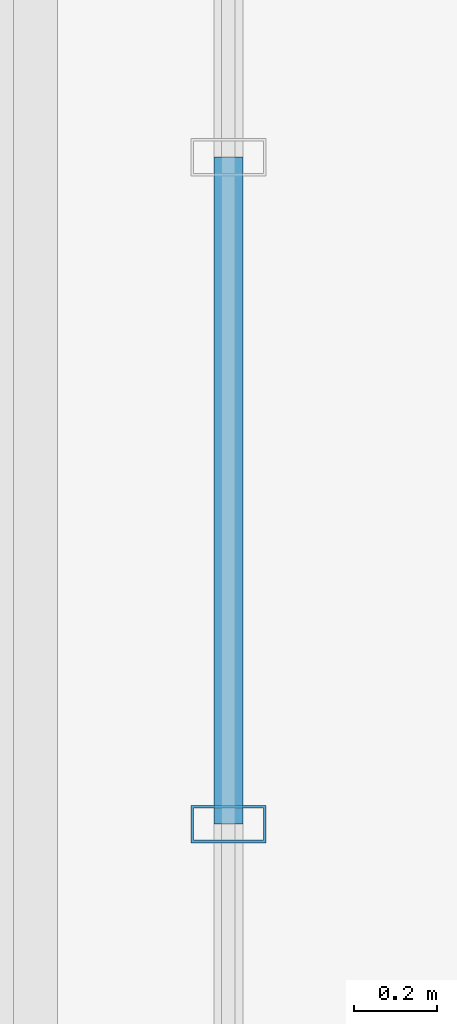
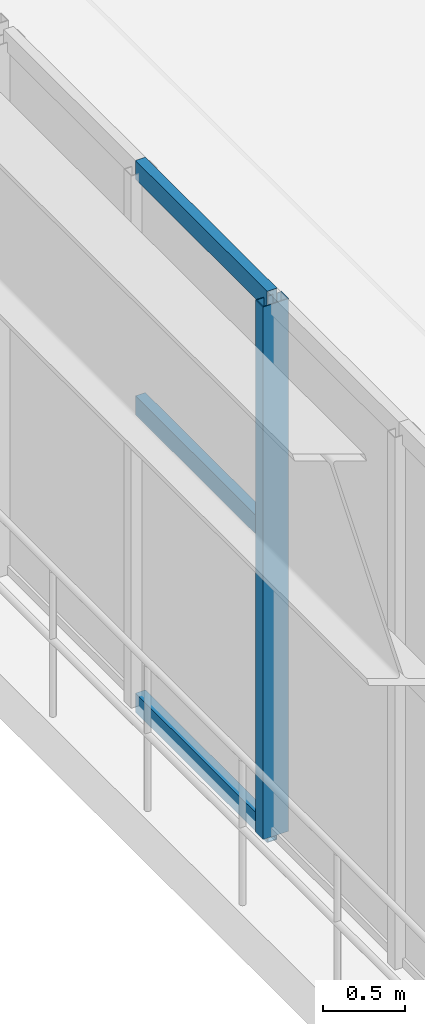
# One storey, part 24 of 124: 4 members, 1 element without a shape of its own.
"""IFC4 building model written with IfcOpenShell, lengths in metres."""

from ifc_helpers import new_model, si_unit, direction, frame, origin, origin_2d, place, context, subcontext, project, spatial, hollow_rectangle, extrude, material, material_profile, profile_set, type_object, element, aggregate, save


model = new_model("IFC4")

# Units and contexts
model_context = context("Model", 3, precision=1e-05, world=origin(), true_north=direction((0.0, 1.0)))
body_context = subcontext(model_context, "Body", "Model", "MODEL_VIEW")
ifc_project = project(units=[si_unit("LENGTHUNIT", "METRE"), si_unit("AREAUNIT", "SQUARE_METRE"), si_unit("VOLUMEUNIT", "CUBIC_METRE"), si_unit("PLANEANGLEUNIT", "RADIAN"), si_unit("MASSUNIT", "GRAM", prefix="KILO")], contexts=[model_context])

# Site, building, storey
site_placement = place(None, origin())
site = spatial("IfcSite", under=ifc_project, at=site_placement, CompositionType="ELEMENT")
building_placement = place(site_placement, origin())
building = spatial("IfcBuilding", under=site, at=building_placement, Name="Sundkrona Museum", CompositionType="ELEMENT")
storey_placement = place(building_placement, frame((0.0, 0.0, 17.60009765625)))
storey = spatial("IfcBuildingStorey", under=building, at=storey_placement, Name="L03", CompositionType="ELEMENT", Elevation=17.60009765625)

# Curtain wall, members
ifc_material_1 = material(Name="Unitised Aluminium-Steel and Ceramic-Clad Curtain Walling", Category="steel")
curtain_wall_type = type_object("IfcCurtainWallType", Name="CW-CV-68x38", PredefinedType="NOTDEFINED", material=ifc_material_1)
curtain_wall_placement = place(storey_placement, origin())
curtain_wall = element("IfcCurtainWall", 1, at=curtain_wall_placement, inside=storey, type_object=curtain_wall_type, Name="L03 Curtain Wall CW-CV-TIP-L03-39", PredefinedType="NOTDEFINED")
ifc_material_2 = material(Name="Aluminium EN AW-6060 T66", Category="aluminium")
ifc_material_profile_1 = material_profile(ifc_material_2, hollow_rectangle(XDim=0.090087890625, YDim=0.179931640625, WallThickness=0.00634765625, at=origin_2d()), Name="RHS 180x90x6.3")
ifc_profile_set_1 = profile_set([ifc_material_profile_1], Name="Aluminium EN AW-6060 T66")
member_type_1 = type_object("IfcMemberType", Name="ML-180", PredefinedType="MULLION", material=ifc_profile_set_1)
member_1_placement = place(storey_placement, frame((4.60009765625, 43.0, -0.004150390625), z_axis=(0.0, 0.0, 1.0), x_axis=(0.0, 1.0, 0.0)))
member_1 = element("IfcMember", 2, at=member_1_placement, type_object=member_type_1, Name="CW-CV-TIP-L03-39 Mullion 03", PredefinedType="MULLION", context=body_context, shape_type="SweptSolid", body=[
    extrude(hollow_rectangle(XDim=0.090087890625, YDim=0.179931640625, WallThickness=0.00634765625, at=origin_2d()), origin(), (0.0, 0.0, 1.0), 3.947998046875),
])
ifc_material_profile_2 = material_profile(ifc_material_2, hollow_rectangle(XDim=0.070068359375, YDim=0.139892578125, WallThickness=0.0048828125, at=origin_2d()), Name="RHS 140x70x5.0")
ifc_profile_set_2 = profile_set([ifc_material_profile_2], Name="Aluminium EN AW-6060 T66")
member_type_2 = type_object("IfcMemberType", Name="TR-140", PredefinedType="USERDEFINED", material=ifc_profile_set_2)
member_2_placement = place(storey_placement, frame((4.60009765625, 43.0, -0.004150390625), z_axis=(0.0, 1.0, 0.0), x_axis=(-1.0, 0.0, 0.0)))
member_2 = element("IfcMember", 3, at=member_2_placement, type_object=member_type_2, Name="CW-CV-TIP-L03-39 Transom 07", ObjectType="TRANSOM", PredefinedType="USERDEFINED", context=body_context, shape_type="SweptSolid", body=[
    extrude(hollow_rectangle(XDim=0.070068359375, YDim=0.139892578125, WallThickness=0.0048828125, at=origin_2d()), origin(), (0.0, 0.0, 1.0), 1.60009765625),
])
member_3_placement = place(storey_placement, frame((4.60009765625, 43.0, 2.199951171875), z_axis=(0.0, 1.0, 0.0), x_axis=(-1.0, 0.0, 0.0)))
member_3 = element("IfcMember", 4, at=member_3_placement, type_object=member_type_2, Name="CW-CV-TIP-L03-39 Transom 08", ObjectType="TRANSOM", PredefinedType="USERDEFINED", context=body_context, shape_type="SweptSolid", body=[
    extrude(hollow_rectangle(XDim=0.070068359375, YDim=0.139892578125, WallThickness=0.0048828125, at=origin_2d()), origin(), (0.0, 0.0, 1.0), 1.60009765625),
])
member_4_placement = place(storey_placement, frame((4.60009765625, 43.0, 3.94384765625), z_axis=(0.0, 1.0, 0.0), x_axis=(-1.0, 0.0, 0.0)))
member_4 = element("IfcMember", 5, at=member_4_placement, type_object=member_type_2, Name="CW-CV-TIP-L03-39 Transom 09", ObjectType="TRANSOM", PredefinedType="USERDEFINED", context=body_context, shape_type="SweptSolid", body=[
    extrude(hollow_rectangle(XDim=0.070068359375, YDim=0.139892578125, WallThickness=0.0048828125, at=origin_2d()), origin(), (0.0, 0.0, 1.0), 1.60009765625),
])
aggregate(curtain_wall, [member_1, member_2, member_3, member_4])

save(model, "model.ifc")
